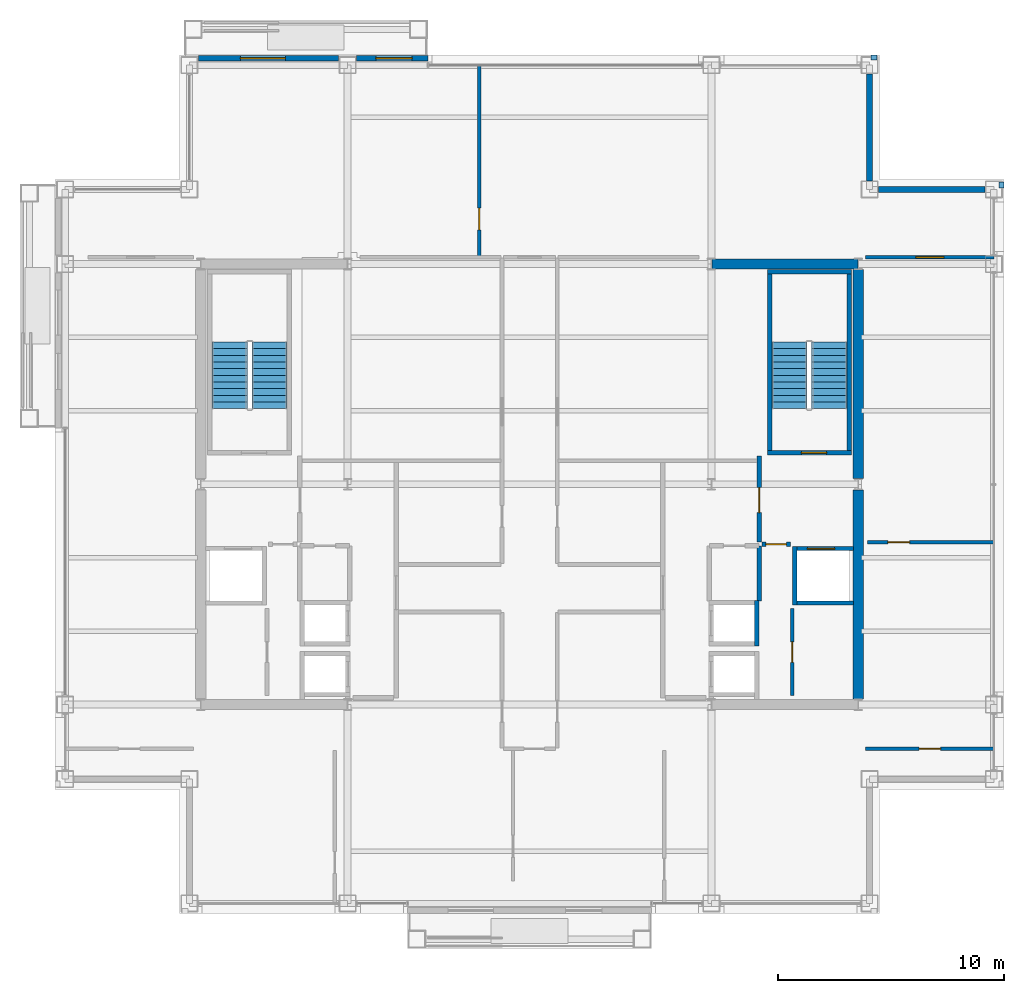
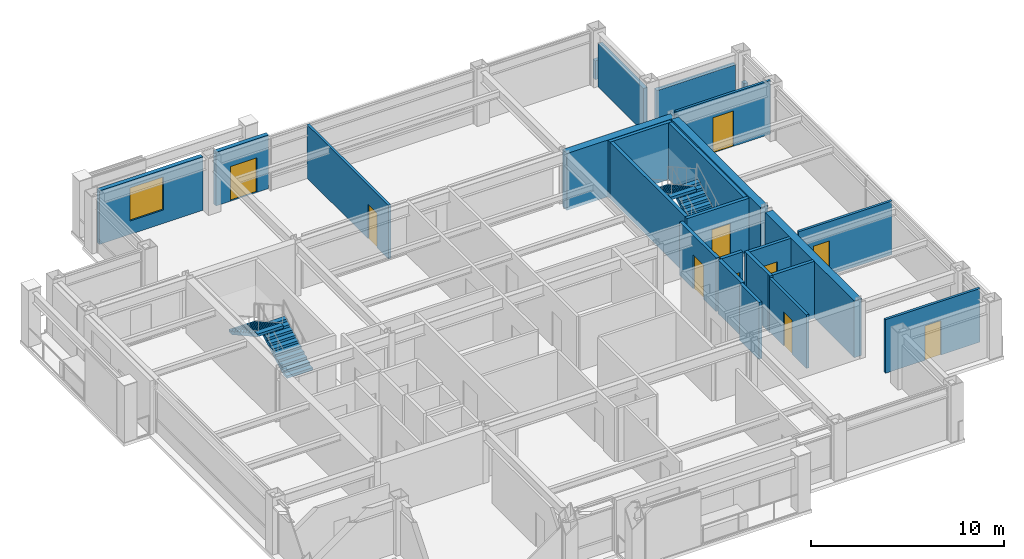
# One storey, part 25 of 27: 25 walls, 10 doors, 4 stair flights, 1 window, 11 openings, 2 elements without a shape of their own.
"""IFC4 building model written with IfcOpenShell, lengths in metres."""

from ifc_helpers import new_model, si_unit, direction, frame, frame_2d, origin, place, context, subcontext, project, spatial, polyline, rectangle, outline, extrude, material, layer, layer_set, type_object, element, fill, aggregate, save


model = new_model("IFC4")

# Units and contexts
model_context = context("Model", 3, precision=1e-05, world=origin(), true_north=direction((0.0, 1.0)))
body_context = subcontext(model_context, "Body", "Model", "MODEL_VIEW")
ifc_project = project(units=[si_unit("LENGTHUNIT", "METRE"), si_unit("AREAUNIT", "SQUARE_METRE"), si_unit("VOLUMEUNIT", "CUBIC_METRE"), si_unit("PLANEANGLEUNIT", "RADIAN"), si_unit("MASSUNIT", "GRAM", prefix="KILO")], contexts=[model_context])

# Site, building, storey
site_placement = place(None, origin())
site = spatial("IfcSite", under=ifc_project, at=site_placement, CompositionType="ELEMENT")
building_placement = place(site_placement, origin())
building = spatial("IfcBuilding", under=site, at=building_placement, Name="Brelmoor Portico Tower", CompositionType="ELEMENT")
storey_placement = place(building_placement, frame((0.0, 0.0, 158.699951171875)))
storey = spatial("IfcBuildingStorey", under=building, at=storey_placement, Name="L41", CompositionType="ELEMENT", Elevation=158.699951171875)

# Walls
ifc_material_1 = material(Name="Concrete C50", Category="concrete")
ifc_layer_1 = layer(ifc_material_1, 0.449951171875)
ifc_layer_set_1 = layer_set([ifc_layer_1], Name="Concrete C50")
wall_type_1 = type_object("IfcWallType", Name="WL-CORE-450", PredefinedType="SHEAR", material=ifc_layer_set_1)
wall_1_placement = place(storey_placement, frame((8.070068359375, 9.75, -0.199951171875), z_axis=(0.0, 0.0, 1.0), x_axis=(1.0, 0.0, 0.0)))
element("IfcWall", 1, at=wall_1_placement, inside=storey, type_object=wall_type_1, Name="L41 EC North Shear Wall", PredefinedType="SHEAR", context=body_context, shape_type="SweptSolid", body=[
    extrude(rectangle(XDim=6.4599609375, YDim=0.449951171875, at=frame_2d((3.22998046875, 0.0))), origin(), (0.0, 0.0, 1.0), 3.60009765625),
])
for number, where, z_axis, x_axis, name in (
    (2, (14.550048828125, -9.5, -0.199951171875), (0.0, 0.0, 1.0), (0.0, 1.0, 0.0), "L41 EC Outer South Shear Wall"),
    (3, (14.550048828125, 0.25, -0.199951171875), (0.0, 0.0, 1.0), (0.0, 1.0, 0.0), "L41 EC Outer North Shear Wall"),
):
    element("IfcWall", number, at=place(storey_placement, frame(where, z_axis=z_axis, x_axis=x_axis)), inside=storey, type_object=wall_type_1, Name=name, PredefinedType="SHEAR", context=body_context, shape_type="SweptSolid", body=[
        extrude(rectangle(XDim=9.25, YDim=0.449951171875, at=frame_2d((4.625, 0.0))), origin(), (0.0, 0.0, 1.0), 3.60009765625),
    ])

# Wall, opening, window
ifc_material_2 = material(Name="Precast Concrete C40 Insulated Facade Wall", Category="concrete")
ifc_layer_2 = layer(ifc_material_2, 0.25)
ifc_layer_set_2 = layer_set([ifc_layer_2], Name="Precast Concrete C40 Insulated Facade Wall")
wall_type_2 = type_object("IfcWallType", Name="WL-EXT-250", PredefinedType="STANDARD", material=ifc_layer_set_2)
wall_2_placement = place(storey_placement, frame((-14.655029296875, 18.860107421875, 0.0), z_axis=(0.0, 0.0, 1.0), x_axis=(1.0, 0.0, 0.0)))
wall_2 = element("IfcWall", 4, at=wall_2_placement, inside=storey, type_object=wall_type_2, Name="L41 Loggia Threshold Wall N-1", PredefinedType="STANDARD", context=body_context, shape_type="SweptSolid", body=[
    extrude(rectangle(XDim=6.2099609375, YDim=0.25, at=frame_2d((3.10498046875, 0.0))), origin(), (0.0, 0.0, 1.0), 3.400146484375),
])
opening_1_placement = place(wall_2_placement, frame((1.85498046875, 0.0, 0.85009765625)))
opening_1 = element("IfcOpeningElement", 5, at=opening_1_placement, cuts=wall_2, Name="Opening W-03", PredefinedType="OPENING", context=body_context, shape_type="SweptSolid", body=[
    extrude(rectangle(XDim=2.0, YDim=2.10009765625, at=frame_2d((1.0, 1.050048828125))), frame((0.0, 0.135009765625, 0.0), z_axis=(0.0, -1.0, 0.0), x_axis=(1.0, 0.0, 0.0)), (0.0, 0.0, 1.0), 0.27001953125),
])
ifc_material_3 = material(Name="Thermally Broken Aluminium Low-E Window", Category="aluminium")
window_type = type_object("IfcWindowType", Name="WN-LOGGIA-2000x2100", PartitioningType="SINGLE_PANEL", PredefinedType="WINDOW", material=ifc_material_3)
window_placement = place(opening_1_placement, origin())
window = element("IfcWindow", 6, at=window_placement, inside=storey, type_object=window_type, Name="L41 Loggia Window N", OverallHeight=2.10009765625, OverallWidth=2.0, PartitioningType="SINGLE_PANEL", PredefinedType="WINDOW", context=body_context, shape_type="SweptSolid", body=[
    extrude(rectangle(XDim=2.0, YDim=2.10009765625, at=frame_2d((1.0, 1.050048828125))), frame((0.0, 0.030029296875, 0.0), z_axis=(0.0, -1.0, 0.0), x_axis=(1.0, 0.0, 0.0)), (0.0, 0.0, 1.0), 0.06005859375),
])
fill(opening_1, window)

# Wall, opening, door
wall_3_placement = place(storey_placement, frame((-7.655029296875, 18.860107421875, 0.0), z_axis=(0.0, 0.0, 1.0), x_axis=(1.0, 0.0, 0.0)))
wall_3 = element("IfcWall", 7, at=wall_3_placement, inside=storey, type_object=wall_type_2, Name="L41 Loggia Threshold Wall N-2", PredefinedType="STANDARD", context=body_context, shape_type="SweptSolid", body=[
    extrude(rectangle(XDim=3.155029296875, YDim=0.25, at=frame_2d((1.57763671875, 0.0))), origin(), (0.0, 0.0, 1.0), 3.400146484375),
])
opening_2_placement = place(wall_3_placement, frame((0.85498046875, 0.0, 0.0)))
opening_2 = element("IfcOpeningElement", 8, at=opening_2_placement, cuts=wall_3, Name="Opening D-TB1", PredefinedType="OPENING", context=body_context, shape_type="SweptSolid", body=[
    extrude(rectangle(XDim=1.60009765625, YDim=2.199951171875, at=frame_2d((0.800048828125, 1.10009765625))), frame((0.0, 0.135009765625, 0.0), z_axis=(0.0, -1.0, 0.0), x_axis=(1.0, 0.0, 0.0)), (0.0, 0.0, 1.0), 0.27001953125),
])
ifc_material_4 = material(Name="Double-Leaf Thermally Broken Terrace Door", Category="aluminium")
door_type_1 = type_object("IfcDoorType", Name="DR-BALCONY-1600", OperationType="NOTDEFINED", PredefinedType="DOOR", material=ifc_material_4)
door_1_placement = place(opening_2_placement, origin())
door_1 = element("IfcDoor", 9, at=door_1_placement, inside=storey, type_object=door_type_1, Name="D-1771 L41 Tree Balcony Double Door N", OperationType="DOUBLE_DOOR_SINGLE_SWING", OverallHeight=2.199951171875, OverallWidth=1.60009765625, PredefinedType="DOOR", context=body_context, shape_type="SweptSolid", body=[
    extrude(rectangle(XDim=1.60009765625, YDim=2.199951171875, at=frame_2d((0.800048828125, 1.10009765625))), frame((0.0, 0.02490234375, 0.0), z_axis=(0.0, -1.0, 0.0), x_axis=(1.0, 0.0, 0.0)), (0.0, 0.0, 1.0), 0.050048828125),
])
fill(opening_2, door_1)

# Walls
for number, where, z_axis, x_axis, name in (
    (10, (15.43505859375, 13.050048828125, 0.0), (0.0, 0.0, 1.0), (1.0, 0.0, 0.0), "L41 Corner Notch Facade Wall NNEH1"),
    (11, (15.050048828125, 13.43505859375, 0.0), (0.0, 0.0, 1.0), (0.0, 1.0, 0.0), "L41 Corner Notch Facade Wall NNEV1"),
):
    element("IfcWall", number, at=place(storey_placement, frame(where, z_axis=z_axis, x_axis=x_axis)), inside=storey, type_object=wall_type_2, Name=name, PredefinedType="STANDARD", context=body_context, shape_type="SweptSolid", body=[
        extrude(rectangle(XDim=4.72998046875, YDim=0.25, at=frame_2d((2.364990234375, 0.0))), origin(), (0.0, 0.0, 1.0), 2.75),
    ])
ifc_material_5 = material(Name="Concrete C40 Parapet Upstand", Category="concrete")
ifc_layer_3 = layer(ifc_material_5, 0.219970703125)
ifc_layer_set_3 = layer_set([ifc_layer_3], Name="Concrete C40 Parapet Upstand")
wall_type_3 = type_object("IfcWallType", Name="WL-PARAPET-220", PredefinedType="PARAPET", material=ifc_layer_set_3)
for number, where, z_axis, x_axis, name in (
    (12, (15.1201171875, 18.889892578125, 0.0), (0.0, 0.0, 1.0), (1.0, 0.0, 0.0), "L41 Chamfer Vertex Parapet Pier NE1"),
    (13, (20.889892578125, 13.1201171875, 0.0), (0.0, 0.0, 1.0), (0.0, 1.0, 0.0), "L41 Chamfer Vertex Parapet Pier NE2"),
):
    element("IfcWall", number, at=place(storey_placement, frame(where, z_axis=z_axis, x_axis=x_axis)), inside=storey, type_object=wall_type_3, Name=name, PredefinedType="PARAPET", context=body_context, shape_type="SweptSolid", body=[
        extrude(rectangle(XDim=0.269775390625, YDim=0.219970703125, at=frame_2d((0.134765625, 0.0))), origin(), (0.0, 0.0, 1.0), 1.199951171875),
    ])

# Wall, opening, door
ifc_material_6 = material(Name="Wet-Area Moisture-Resistant Partition", Category="gypsum")
ifc_layer_4 = layer(ifc_material_6, 0.14990234375)
ifc_layer_set_4 = layer_set([ifc_layer_4], Name="Wet-Area Moisture-Resistant Partition")
wall_type_4 = type_object("IfcWallType", Name="WL-PART-150", PredefinedType="PARTITIONING", material=ifc_layer_set_4)
wall_4_placement = place(storey_placement, frame((-2.2255859375, 10.110107421875, 0.0), z_axis=(0.0, 0.0, 1.0), x_axis=(0.0, 1.0, 0.0)))
wall_4 = element("IfcWall", 14, at=wall_4_placement, inside=storey, type_object=wall_type_4, Name="L41 North Suite Partition 1", PredefinedType="PARTITIONING", context=body_context, shape_type="SweptSolid", body=[
    extrude(rectangle(XDim=8.449951171875, YDim=0.14990234375, at=frame_2d((4.22509765625, 0.0))), origin(), (0.0, 0.0, 1.0), 3.400146484375),
])
opening_3_placement = place(wall_4_placement, frame((1.14990234375, 0.0, 0.0)))
opening_3 = element("IfcOpeningElement", 15, at=opening_3_placement, cuts=wall_4, Name="Opening D-IN2", PredefinedType="OPENING", context=body_context, shape_type="SweptSolid", body=[
    extrude(rectangle(XDim=0.9599609375, YDim=2.179931640625, at=frame_2d((0.47998046875, 1.08984375))), frame((0.0, 0.0849609375, 0.0), z_axis=(0.0, -1.0, 0.0), x_axis=(1.0, 0.0, 0.0)), (0.0, 0.0, 1.0), 0.169921875),
])
ifc_material_7 = material(Name="Lacquered Timber Suite Door", Category="wood")
door_type_2 = type_object("IfcDoorType", Name="DR-INT-950", OperationType="NOTDEFINED", PredefinedType="DOOR", material=ifc_material_7)
door_2_placement = place(opening_3_placement, origin())
door_2 = element("IfcDoor", 16, at=door_2_placement, inside=storey, type_object=door_type_2, Name="D-1760 L41 North Suite Connecting Door 1", OperationType="SINGLE_SWING_LEFT", OverallHeight=2.179931640625, OverallWidth=0.9599609375, PredefinedType="DOOR", context=body_context, shape_type="SweptSolid", body=[
    extrude(rectangle(XDim=0.9599609375, YDim=2.179931640625, at=frame_2d((0.47998046875, 1.08984375))), frame((0.0, 0.02490234375, 0.0), z_axis=(0.0, -1.0, 0.0), x_axis=(1.0, 0.0, 0.0)), (0.0, 0.0, 1.0), 0.050048828125),
])
fill(opening_3, door_2)

wall_5_placement = place(storey_placement, frame((14.8798828125, 10.050048828125, 0.0), z_axis=(0.0, 0.0, 1.0), x_axis=(1.0, 0.0, 0.0)))
wall_5 = element("IfcWall", 17, at=wall_5_placement, inside=storey, type_object=wall_type_4, Name="L41 North Wing Suite Wall ER", PredefinedType="PARTITIONING", context=body_context, shape_type="SweptSolid", body=[
    extrude(rectangle(XDim=5.68017578125, YDim=0.14990234375, at=frame_2d((2.840087890625, 0.0))), origin(), (0.0, 0.0, 1.0), 3.400146484375),
])
opening_4_placement = place(wall_5_placement, frame((2.219970703125, 0.0, 0.0)))
opening_4 = element("IfcOpeningElement", 18, at=opening_4_placement, cuts=wall_5, Name="Opening D-SU1", PredefinedType="OPENING", context=body_context, shape_type="SweptSolid", body=[
    extrude(rectangle(XDim=1.239990234375, YDim=2.239990234375, at=frame_2d((0.6201171875, 1.1201171875))), frame((0.0, 0.0849609375, 0.0), z_axis=(0.0, -1.0, 0.0), x_axis=(1.0, 0.0, 0.0)), (0.0, 0.0, 1.0), 0.169921875),
])
ifc_material_8 = material(Name="Glazed Timber Executive Suite Door", Category="wood")
door_type_3 = type_object("IfcDoorType", Name="DR-SUITE-1200", OperationType="NOTDEFINED", PredefinedType="DOOR", material=ifc_material_8)
door_3_placement = place(opening_4_placement, origin())
door_3 = element("IfcDoor", 19, at=door_3_placement, inside=storey, type_object=door_type_3, Name="D-1761 L41 ER Wing Suite Connecting Door", OperationType="SINGLE_SWING_RIGHT", OverallHeight=2.239990234375, OverallWidth=1.239990234375, PredefinedType="DOOR", context=body_context, shape_type="SweptSolid", body=[
    extrude(rectangle(XDim=1.239990234375, YDim=2.239990234375, at=frame_2d((0.6201171875, 1.1201171875))), frame((0.0, 0.02490234375, 0.0), z_axis=(0.0, -1.0, 0.0), x_axis=(1.0, 0.0, 0.0)), (0.0, 0.0, 1.0), 0.050048828125),
])
fill(opening_4, door_3)

wall_6_placement = place(storey_placement, frame((14.8798828125, -11.7099609375, 0.0), z_axis=(0.0, 0.0, 1.0), x_axis=(1.0, 0.0, 0.0)))
wall_6 = element("IfcWall", 20, at=wall_6_placement, inside=storey, type_object=wall_type_4, Name="L41 South Wing Closure ER", PredefinedType="PARTITIONING", context=body_context, shape_type="SweptSolid", body=[
    extrude(rectangle(XDim=5.68017578125, YDim=0.14990234375, at=frame_2d((2.840087890625, 0.0))), origin(), (0.0, 0.0, 1.0), 3.400146484375),
])
opening_5_placement = place(wall_6_placement, frame((2.360107421875, 0.0, 0.0)))
opening_5 = element("IfcOpeningElement", 21, at=opening_5_placement, cuts=wall_6, Name="Opening D-IN2", PredefinedType="OPENING", context=body_context, shape_type="SweptSolid", body=[
    extrude(rectangle(XDim=0.9599609375, YDim=2.179931640625, at=frame_2d((0.47998046875, 1.08984375))), frame((0.0, 0.0849609375, 0.0), z_axis=(0.0, -1.0, 0.0), x_axis=(1.0, 0.0, 0.0)), (0.0, 0.0, 1.0), 0.169921875),
])
door_4_placement = place(opening_5_placement, origin())
door_4 = element("IfcDoor", 22, at=door_4_placement, inside=storey, type_object=door_type_2, Name="D-1769 L41 ER Wing South Suite Door", OperationType="SINGLE_SWING_RIGHT", OverallHeight=2.179931640625, OverallWidth=0.9599609375, PredefinedType="DOOR", context=body_context, shape_type="SweptSolid", body=[
    extrude(rectangle(XDim=0.9599609375, YDim=2.179931640625, at=frame_2d((0.47998046875, 1.08984375))), frame((0.0, 0.02490234375, 0.0), z_axis=(0.0, -1.0, 0.0), x_axis=(1.0, 0.0, 0.0)), (0.0, 0.0, 1.0), 0.050048828125),
])
fill(opening_5, door_4)

wall_7_placement = place(storey_placement, frame((14.9599609375, -2.55810546875, 0.0), z_axis=(0.0, 0.0, 1.0), x_axis=(1.0, 0.0, 0.0)))
wall_7 = element("IfcWall", 23, at=wall_7_placement, inside=storey, type_object=wall_type_4, Name="L41 E Wing Partition 1", PredefinedType="PARTITIONING", context=body_context, shape_type="SweptSolid", body=[
    extrude(rectangle(XDim=5.60009765625, YDim=0.14990234375, at=frame_2d((2.800048828125, 0.0))), origin(), (0.0, 0.0, 1.0), 3.400146484375),
])
opening_6_placement = place(wall_7_placement, frame((0.89990234375, 0.0, 0.0)))
opening_6 = element("IfcOpeningElement", 24, at=opening_6_placement, cuts=wall_7, Name="Opening D-IN2", PredefinedType="OPENING", context=body_context, shape_type="SweptSolid", body=[
    extrude(rectangle(XDim=0.9599609375, YDim=2.179931640625, at=frame_2d((0.47998046875, 1.08984375))), frame((0.0, 0.0849609375, 0.0), z_axis=(0.0, -1.0, 0.0), x_axis=(1.0, 0.0, 0.0)), (0.0, 0.0, 1.0), 0.169921875),
])
door_5_placement = place(opening_6_placement, origin())
door_5 = element("IfcDoor", 25, at=door_5_placement, inside=storey, type_object=door_type_2, Name="D-1774 L41 E Wing Suite Connecting Door 1", OperationType="SINGLE_SWING_LEFT", OverallHeight=2.179931640625, OverallWidth=0.9599609375, PredefinedType="DOOR", context=body_context, shape_type="SweptSolid", body=[
    extrude(rectangle(XDim=0.9599609375, YDim=2.179931640625, at=frame_2d((0.47998046875, 1.08984375))), frame((0.0, 0.02490234375, 0.0), z_axis=(0.0, -1.0, 0.0), x_axis=(1.0, 0.0, 0.0)), (0.0, 0.0, 1.0), 0.050048828125),
])
fill(opening_6, door_5)

ifc_material_9 = material(Name="Twin-Frame Acoustic Partition", Category="gypsum")
ifc_layer_5 = layer(ifc_material_9, 0.159912109375)
ifc_layer_set_5 = layer_set([ifc_layer_5], Name="Twin-Frame Acoustic Partition")
wall_type_5 = type_object("IfcWallType", Name="WL-PART-160", PredefinedType="PARTITIONING", material=ifc_layer_set_5)
wall_8_placement = place(storey_placement, frame((11.6201171875, -9.35009765625, 0.0), z_axis=(0.0, 0.0, 1.0), x_axis=(0.0, 1.0, 0.0)))
wall_8 = element("IfcWall", 26, at=wall_8_placement, inside=storey, type_object=wall_type_5, Name="L41 E Core Service Front Wall", PredefinedType="PARTITIONING", context=body_context, shape_type="SweptSolid", body=[
    extrude(rectangle(XDim=3.85009765625, YDim=0.159912109375, at=frame_2d((1.925048828125, 0.0))), origin(), (0.0, 0.0, 1.0), 3.400146484375),
])
opening_7_placement = place(wall_8_placement, frame((1.47509765625, 0.0, 0.0)))
opening_7 = element("IfcOpeningElement", 27, at=opening_7_placement, cuts=wall_8, Name="Opening D-IN1", PredefinedType="OPENING", context=body_context, shape_type="SweptSolid", body=[
    extrude(rectangle(XDim=0.89990234375, YDim=2.14990234375, at=frame_2d((0.449951171875, 1.074951171875))), frame((0.0, 0.08984375, 0.0), z_axis=(0.0, -1.0, 0.0), x_axis=(1.0, 0.0, 0.0)), (0.0, 0.0, 1.0), 0.179931640625),
])
door_type_4 = type_object("IfcDoorType", Name="DR-INT-900", OperationType="NOTDEFINED", PredefinedType="DOOR", material=ifc_material_7)
door_6_placement = place(opening_7_placement, origin())
door_6 = element("IfcDoor", 28, at=door_6_placement, inside=storey, type_object=door_type_4, Name="D-1749 L41 E Male WC Door", OperationType="SINGLE_SWING_RIGHT", OverallHeight=2.14990234375, OverallWidth=0.89990234375, PredefinedType="DOOR", context=body_context, shape_type="SweptSolid", body=[
    extrude(rectangle(XDim=0.89990234375, YDim=2.14990234375, at=frame_2d((0.449951171875, 1.074951171875))), frame((0.0, 0.02490234375, 0.0), z_axis=(0.0, -1.0, 0.0), x_axis=(1.0, 0.0, 0.0)), (0.0, 0.0, 1.0), 0.050048828125),
])
fill(opening_7, door_6)

ifc_material_10 = material(Name="Double-Stud Gypsum Fire Partition", Category="gypsum")
ifc_layer_6 = layer(ifc_material_10, 0.199951171875)
ifc_layer_set_6 = layer_set([ifc_layer_6], Name="Double-Stud Gypsum Fire Partition")
wall_type_6 = type_object("IfcWallType", Name="WL-PART-200", PredefinedType="PARTITIONING", material=ifc_layer_set_6)
wall_9_placement = place(storey_placement, frame((10.159912109375, -2.550048828125, 0.0), z_axis=(0.0, 0.0, 1.0), x_axis=(0.0, 1.0, 0.0)))
wall_9 = element("IfcWall", 29, at=wall_9_placement, inside=storey, type_object=wall_type_6, Name="L41 E Firefighting Lobby Wall", PredefinedType="PARTITIONING", context=body_context, shape_type="SweptSolid", body=[
    extrude(rectangle(XDim=3.800048828125, YDim=0.199951171875, at=frame_2d((1.89990234375, 0.0))), origin(), (0.0, 0.0, 1.0), 3.400146484375),
])
opening_8_placement = place(wall_9_placement, frame((1.300048828125, 0.0, 0.0)))
opening_8 = element("IfcOpeningElement", 30, at=opening_8_placement, cuts=wall_9, Name="Opening D-FR1", PredefinedType="OPENING", context=body_context, shape_type="SweptSolid", body=[
    extrude(rectangle(XDim=1.10009765625, YDim=2.14990234375, at=frame_2d((0.550048828125, 1.074951171875))), frame((0.0, 0.10986328125, 0.0), z_axis=(0.0, -1.0, 0.0), x_axis=(1.0, 0.0, 0.0)), (0.0, 0.0, 1.0), 0.219970703125),
])
ifc_material_11 = material(Name="Painted Galvanised Steel Fire Door", Category="steel")
door_type_5 = type_object("IfcDoorType", Name="DR-FIRE-1100", OperationType="NOTDEFINED", PredefinedType="DOOR", material=ifc_material_11)
door_7_placement = place(opening_8_placement, origin())
door_7 = element("IfcDoor", 31, at=door_7_placement, inside=storey, type_object=door_type_5, Name="D-1755 L41 E Firefighting Lobby Door", OperationType="SINGLE_SWING_LEFT", OverallHeight=2.14990234375, OverallWidth=1.10009765625, PredefinedType="DOOR", context=body_context, shape_type="SweptSolid", body=[
    extrude(rectangle(XDim=1.10009765625, YDim=2.14990234375, at=frame_2d((0.550048828125, 1.074951171875))), frame((0.0, 0.02490234375, 0.0), z_axis=(0.0, -1.0, 0.0), x_axis=(1.0, 0.0, 0.0)), (0.0, 0.0, 1.0), 0.050048828125),
])
fill(opening_8, door_7)

wall_10_placement = place(storey_placement, frame((10.280029296875, -2.64990234375, 0.0), z_axis=(0.0, 0.0, 1.0), x_axis=(1.0, 0.0, 0.0)))
wall_10 = element("IfcWall", 32, at=wall_10_placement, inside=storey, type_object=wall_type_6, Name="L41 E Firefighting Lobby South Wall", PredefinedType="PARTITIONING", context=body_context, shape_type="SweptSolid", body=[
    extrude(rectangle(XDim=1.27001953125, YDim=0.199951171875, at=frame_2d((0.635009765625, 0.0))), origin(), (0.0, 0.0, 1.0), 3.400146484375),
])
opening_9_placement = place(wall_10_placement, frame((0.18505859375, 0.0, 0.0)))
opening_9 = element("IfcOpeningElement", 33, at=opening_9_placement, cuts=wall_10, Name="Opening D-IN1", PredefinedType="OPENING", context=body_context, shape_type="SweptSolid", body=[
    extrude(rectangle(XDim=0.89990234375, YDim=2.14990234375, at=frame_2d((0.449951171875, 1.074951171875))), frame((0.0, 0.10986328125, 0.0), z_axis=(0.0, -1.0, 0.0), x_axis=(1.0, 0.0, 0.0)), (0.0, 0.0, 1.0), 0.219970703125),
])
door_8_placement = place(opening_9_placement, origin())
door_8 = element("IfcDoor", 34, at=door_8_placement, inside=storey, type_object=door_type_4, Name="D-1750 L41 E Core Service Vestibule Door", OperationType="SINGLE_SWING_RIGHT", OverallHeight=2.14990234375, OverallWidth=0.89990234375, PredefinedType="DOOR", context=body_context, shape_type="SweptSolid", body=[
    extrude(rectangle(XDim=0.89990234375, YDim=2.14990234375, at=frame_2d((0.449951171875, 1.074951171875))), frame((0.0, 0.02490234375, 0.0), z_axis=(0.0, -1.0, 0.0), x_axis=(1.0, 0.0, 0.0)), (0.0, 0.0, 1.0), 0.050048828125),
])
fill(opening_9, door_8)

# Walls
wall_11_placement = place(storey_placement, frame((10.159912109375, -5.159912109375, 0.0), z_axis=(0.0, 0.0, 1.0), x_axis=(0.0, 1.0, 0.0)))
element("IfcWall", 35, at=wall_11_placement, inside=storey, type_object=wall_type_6, Name="L41 E Electrical Switchgear Closet Outer Wall", PredefinedType="PARTITIONING", context=body_context, shape_type="SweptSolid", body=[
    extrude(rectangle(XDim=2.43994140625, YDim=0.199951171875, at=frame_2d((1.219970703125, 0.0))), origin(), (0.0, 0.0, 1.0), 3.400146484375),
])
ifc_material_12 = material(Name="Precast Concrete C40", Category="concrete")
ifc_layer_7 = layer(ifc_material_12, 0.18994140625)
ifc_layer_set_7 = layer_set([ifc_layer_7], Name="Precast Concrete C40")
wall_type_7 = type_object("IfcWallType", Name="WL-SHAFT-180", PredefinedType="SOLIDWALL", material=ifc_layer_set_7)
wall_12_placement = place(storey_placement, frame((10.054931640625, -7.14990234375, -0.199951171875), z_axis=(0.0, 0.0, 1.0), x_axis=(0.0, 1.0, 0.0)))
element("IfcWall", 36, at=wall_12_placement, inside=storey, type_object=wall_type_7, Name="L41 Lift PH4 Hoistway Back Wall", PredefinedType="SOLIDWALL", context=body_context, shape_type="SweptSolid", body=[
    extrude(rectangle(XDim=2.0, YDim=0.18994140625, at=frame_2d((1.0, 0.0))), origin(), (0.0, 0.0, 1.0), 3.60009765625),
])

# Wall, opening, door
wall_13_placement = place(storey_placement, frame((11.64990234375, -2.844970703125, -0.199951171875), z_axis=(0.0, 0.0, 1.0), x_axis=(1.0, 0.0, 0.0)))
wall_13 = element("IfcWall", 37, at=wall_13_placement, inside=storey, type_object=wall_type_7, Name="L41 Lift FF2 Hoistway Front Wall", PredefinedType="SOLIDWALL", context=body_context, shape_type="SweptSolid", body=[
    extrude(rectangle(XDim=2.68017578125, YDim=0.18994140625, at=frame_2d((1.340087890625, 0.0))), origin(), (0.0, 0.0, 1.0), 3.60009765625),
])
opening_10_placement = place(wall_13_placement, frame((0.64990234375, 0.0, 0.199951171875)))
opening_10 = element("IfcOpeningElement", 38, at=opening_10_placement, cuts=wall_13, Name="Opening LD-02", PredefinedType="OPENING", context=body_context, shape_type="SweptSolid", body=[
    extrude(rectangle(XDim=1.199951171875, YDim=2.199951171875, at=frame_2d((0.60009765625, 1.10009765625))), frame((0.0, 0.10498046875, 0.0), z_axis=(0.0, -1.0, 0.0), x_axis=(1.0, 0.0, 0.0)), (0.0, 0.0, 1.0), 0.2099609375),
])
ifc_material_13 = material(Name="Brushed Stainless Steel Firefighting Lift Door", Category="steel")
door_type_6 = type_object("IfcDoorType", Name="DR-LIFT-1200", OperationType="NOTDEFINED", PredefinedType="DOOR", material=ifc_material_13)
door_9_placement = place(opening_10_placement, origin())
door_9 = element("IfcDoor", 39, at=door_9_placement, inside=storey, type_object=door_type_6, Name="D-1776 L41 Lift FF2 Sliding Landing Door", OperationType="SLIDING_TO_LEFT", OverallHeight=2.199951171875, OverallWidth=1.199951171875, PredefinedType="DOOR", context=body_context, shape_type="SweptSolid", body=[
    extrude(rectangle(XDim=1.199951171875, YDim=2.199951171875, at=frame_2d((0.60009765625, 1.10009765625))), frame((0.0, 0.02490234375, 0.0), z_axis=(0.0, -1.0, 0.0), x_axis=(1.0, 0.0, 0.0)), (0.0, 0.0, 1.0), 0.050048828125),
])
fill(opening_10, door_9)

# Walls
wall_14_placement = place(storey_placement, frame((11.64990234375, -5.2548828125, -0.199951171875), z_axis=(0.0, 0.0, 1.0), x_axis=(1.0, 0.0, 0.0)))
element("IfcWall", 40, at=wall_14_placement, inside=storey, type_object=wall_type_7, Name="L41 Firefighting Lift FF2 South Wall", PredefinedType="SOLIDWALL", context=body_context, shape_type="SweptSolid", body=[
    extrude(rectangle(XDim=2.68017578125, YDim=0.18994140625, at=frame_2d((1.340087890625, 0.0))), origin(), (0.0, 0.0, 1.0), 3.60009765625),
])
wall_15_placement = place(storey_placement, frame((11.7451171875, -5.35009765625, -0.199951171875), z_axis=(0.0, 0.0, 1.0), x_axis=(0.0, 1.0, 0.0)))
element("IfcWall", 41, at=wall_15_placement, inside=storey, type_object=wall_type_7, Name="L41 Firefighting Lift FF2 Inner Wall", PredefinedType="SOLIDWALL", context=body_context, shape_type="SweptSolid", body=[
    extrude(rectangle(XDim=2.60009765625, YDim=0.18994140625, at=frame_2d((1.300048828125, 0.0))), origin(), (0.0, 0.0, 1.0), 3.60009765625),
])
ifc_material_14 = material(Name="Concrete C40", Category="concrete")
ifc_layer_8 = layer(ifc_material_14, 0.199951171875)
ifc_layer_set_8 = layer_set([ifc_layer_8], Name="Concrete C40")
wall_type_8 = type_object("IfcWallType", Name="WL-SHAFT-RC200", PredefinedType="SOLIDWALL", material=ifc_layer_set_8)
wall_16_placement = place(storey_placement, frame((14.14990234375, 1.5, -0.199951171875), z_axis=(0.0, 0.0, 1.0), x_axis=(0.0, 1.0, 0.0)))
element("IfcWall", 42, at=wall_16_placement, inside=storey, type_object=wall_type_8, Name="L41 ST-E Structural Stair Wall Outer", PredefinedType="SOLIDWALL", context=body_context, shape_type="SweptSolid", body=[
    extrude(rectangle(XDim=7.800048828125, YDim=0.199951171875, at=frame_2d((3.89990234375, 0.0))), origin(), (0.0, 0.0, 1.0), 3.60009765625),
])

# Wall, opening, door
wall_17_placement = place(storey_placement, frame((10.530029296875, 1.39990234375, -0.199951171875), z_axis=(0.0, 0.0, 1.0), x_axis=(1.0, 0.0, 0.0)))
wall_17 = element("IfcWall", 43, at=wall_17_placement, inside=storey, type_object=wall_type_8, Name="L41 ST-E Structural Stair Wall S", PredefinedType="SOLIDWALL", context=body_context, shape_type="SweptSolid", body=[
    extrude(rectangle(XDim=3.719970703125, YDim=0.199951171875, at=frame_2d((1.85986328125, 0.0))), origin(), (0.0, 0.0, 1.0), 3.60009765625),
])
opening_11_placement = place(wall_17_placement, frame((1.5, 0.0, 0.199951171875)))
opening_11 = element("IfcOpeningElement", 44, at=opening_11_placement, cuts=wall_17, Name="Opening D-ST1", PredefinedType="OPENING", context=body_context, shape_type="SweptSolid", body=[
    extrude(rectangle(XDim=1.1201171875, YDim=2.179931640625, at=frame_2d((0.56005859375, 1.08984375))), frame((0.0, 0.10986328125, 0.0), z_axis=(0.0, -1.0, 0.0), x_axis=(1.0, 0.0, 0.0)), (0.0, 0.0, 1.0), 0.219970703125),
])
door_type_7 = type_object("IfcDoorType", Name="DR-STAIR-1100", OperationType="NOTDEFINED", PredefinedType="DOOR", material=ifc_material_11)
door_10_placement = place(opening_11_placement, origin())
door_10 = element("IfcDoor", 45, at=door_10_placement, inside=storey, type_object=door_type_7, Name="D-1767 L41 ST-E Protected Exit Stair Door", OperationType="SINGLE_SWING_RIGHT", OverallHeight=2.179931640625, OverallWidth=1.1201171875, PredefinedType="DOOR", context=body_context, shape_type="SweptSolid", body=[
    extrude(rectangle(XDim=1.1201171875, YDim=2.179931640625, at=frame_2d((0.56005859375, 1.08984375))), frame((0.0, 0.02490234375, 0.0), z_axis=(0.0, -1.0, 0.0), x_axis=(1.0, 0.0, 0.0)), (0.0, 0.0, 1.0), 0.050048828125),
])
fill(opening_11, door_10)

# Walls
wall_18_placement = place(storey_placement, frame((10.530029296875, 9.39990234375, -0.199951171875), z_axis=(0.0, 0.0, 1.0), x_axis=(1.0, 0.0, 0.0)))
element("IfcWall", 46, at=wall_18_placement, inside=storey, type_object=wall_type_8, Name="L41 ST-E Structural Stair Wall N", PredefinedType="SOLIDWALL", context=body_context, shape_type="SweptSolid", body=[
    extrude(rectangle(XDim=3.719970703125, YDim=0.199951171875, at=frame_2d((1.85986328125, 0.0))), origin(), (0.0, 0.0, 1.0), 3.60009765625),
])
wall_19_placement = place(storey_placement, frame((10.6298828125, 1.5, -0.199951171875), z_axis=(0.0, 0.0, 1.0), x_axis=(0.0, 1.0, 0.0)))
element("IfcWall", 47, at=wall_19_placement, inside=storey, type_object=wall_type_8, Name="L41 ST-E Structural Stair Wall Inner", PredefinedType="SOLIDWALL", context=body_context, shape_type="SweptSolid", body=[
    extrude(rectangle(XDim=7.800048828125, YDim=0.199951171875, at=frame_2d((3.89990234375, 0.0))), origin(), (0.0, 0.0, 1.0), 3.60009765625),
])

# Stair, stair flights
stair_type_1 = type_object("IfcStairType", Name="ST-CORE-W", PredefinedType="HALF_TURN_STAIR", material=ifc_material_14)
stair_1_placement = place(storey_placement, origin())
stair_1 = element("IfcStair", 48, at=stair_1_placement, inside=storey, type_object=stair_type_1, Name="L41 Protected Core Exit Stair ST-W", PredefinedType="HALF_TURN_STAIR")
stair_flight_type = type_object("IfcStairFlightType", Name="SF-CORE-1850", PredefinedType="STRAIGHT", material=ifc_material_14)
stair_flight_1_placement = place(storey_placement, frame((-11.510009765625, 3.35009765625, 0.0), z_axis=(0.0, 0.0, 1.0), x_axis=(0.0, 1.0, 0.0)))
stair_flight_1 = element("IfcStairFlight", 49, at=stair_flight_1_placement, type_object=stair_flight_type, Name="ST-W flight 1", NumberOfRisers=11, NumberOfTreads=10, PredefinedType="STRAIGHT", RiserHeight=0.163636364, TreadLength=0.295, context=body_context, shape_type="SweptSolid", body=[
    extrude(outline(polyline([(0.0, 0.0), (0.0, 0.16357421875), (0.294921875, 0.16357421875), (0.294921875, 0.327392578125), (0.590087890625, 0.327392578125), (0.590087890625, 0.490966796875), (0.885009765625, 0.490966796875), (0.885009765625, 0.654541015625), (1.179931640625, 0.654541015625), (1.179931640625, 0.818115234375), (1.47509765625, 0.818115234375), (1.47509765625, 0.98193359375), (1.77001953125, 0.98193359375), (1.77001953125, 1.1455078125), (2.06494140625, 1.1455078125), (2.06494140625, 1.30908203125), (2.360107421875, 1.30908203125), (2.360107421875, 1.47265625), (2.655029296875, 1.47265625), (2.655029296875, 1.636474609375), (2.949951171875, 1.636474609375), (2.949951171875, 1.800048828125), (2.949951171875, 1.46484375), (0.30908203125, 0.0), (0.0, 0.0)])), frame((0.0, 0.780029296875, 0.0), z_axis=(0.0, -1.0, 0.0), x_axis=(1.0, 0.0, 0.0)), (0.0, 0.0, 1.0), 1.56005859375),
])
stair_flight_2_placement = place(storey_placement, frame((-13.27001953125, 6.300048828125, 1.800048828125), z_axis=(0.0, 0.0, 1.0), x_axis=(0.0, -1.0, 0.0)))
stair_flight_2 = element("IfcStairFlight", 50, at=stair_flight_2_placement, type_object=stair_flight_type, Name="ST-W flight 2", NumberOfRisers=11, NumberOfTreads=10, PredefinedType="STRAIGHT", RiserHeight=0.163636364, TreadLength=0.295, context=body_context, shape_type="SweptSolid", body=[
    extrude(outline(polyline([(0.0, 0.0), (0.0, 0.16357421875), (0.294921875, 0.16357421875), (0.294921875, 0.327392578125), (0.590087890625, 0.327392578125), (0.590087890625, 0.490966796875), (0.885009765625, 0.490966796875), (0.885009765625, 0.654541015625), (1.179931640625, 0.654541015625), (1.179931640625, 0.818115234375), (1.47509765625, 0.818115234375), (1.47509765625, 0.98193359375), (1.77001953125, 0.98193359375), (1.77001953125, 1.1455078125), (2.06494140625, 1.1455078125), (2.06494140625, 1.30908203125), (2.360107421875, 1.30908203125), (2.360107421875, 1.47265625), (2.655029296875, 1.47265625), (2.655029296875, 1.636474609375), (2.949951171875, 1.636474609375), (2.949951171875, 1.800048828125), (2.949951171875, 1.46484375), (0.30908203125, 0.0), (0.0, 0.0)])), frame((0.0, 0.780029296875, 0.0), z_axis=(0.0, -1.0, 0.0), x_axis=(1.0, 0.0, 0.0)), (0.0, 0.0, 1.0), 1.56005859375),
])
aggregate(stair_1, [stair_flight_1, stair_flight_2])

stair_type_2 = type_object("IfcStairType", Name="ST-CORE-E", PredefinedType="HALF_TURN_STAIR", material=ifc_material_14)
stair_2_placement = place(storey_placement, origin())
stair_2 = element("IfcStair", 51, at=stair_2_placement, inside=storey, type_object=stair_type_2, Name="L41 Protected Core Exit Stair ST-E", PredefinedType="HALF_TURN_STAIR")
stair_flight_3_placement = place(storey_placement, frame((13.27001953125, 3.35009765625, 0.0), z_axis=(0.0, 0.0, 1.0), x_axis=(0.0, 1.0, 0.0)))
stair_flight_3 = element("IfcStairFlight", 52, at=stair_flight_3_placement, type_object=stair_flight_type, Name="ST-E flight 1", NumberOfRisers=11, NumberOfTreads=10, PredefinedType="STRAIGHT", RiserHeight=0.163636364, TreadLength=0.295, context=body_context, shape_type="SweptSolid", body=[
    extrude(outline(polyline([(0.0, 0.0), (0.0, 0.16357421875), (0.294921875, 0.16357421875), (0.294921875, 0.327392578125), (0.590087890625, 0.327392578125), (0.590087890625, 0.490966796875), (0.885009765625, 0.490966796875), (0.885009765625, 0.654541015625), (1.179931640625, 0.654541015625), (1.179931640625, 0.818115234375), (1.47509765625, 0.818115234375), (1.47509765625, 0.98193359375), (1.77001953125, 0.98193359375), (1.77001953125, 1.1455078125), (2.06494140625, 1.1455078125), (2.06494140625, 1.30908203125), (2.360107421875, 1.30908203125), (2.360107421875, 1.47265625), (2.655029296875, 1.47265625), (2.655029296875, 1.636474609375), (2.949951171875, 1.636474609375), (2.949951171875, 1.800048828125), (2.949951171875, 1.46484375), (0.30908203125, 0.0), (0.0, 0.0)])), frame((0.0, 0.780029296875, 0.0), z_axis=(0.0, -1.0, 0.0), x_axis=(1.0, 0.0, 0.0)), (0.0, 0.0, 1.0), 1.56005859375),
])
stair_flight_4_placement = place(storey_placement, frame((11.510009765625, 6.300048828125, 1.800048828125), z_axis=(0.0, 0.0, 1.0), x_axis=(0.0, -1.0, 0.0)))
stair_flight_4 = element("IfcStairFlight", 53, at=stair_flight_4_placement, type_object=stair_flight_type, Name="ST-E flight 2", NumberOfRisers=11, NumberOfTreads=10, PredefinedType="STRAIGHT", RiserHeight=0.163636364, TreadLength=0.295, context=body_context, shape_type="SweptSolid", body=[
    extrude(outline(polyline([(0.0, 0.0), (0.0, 0.16357421875), (0.294921875, 0.16357421875), (0.294921875, 0.327392578125), (0.590087890625, 0.327392578125), (0.590087890625, 0.490966796875), (0.885009765625, 0.490966796875), (0.885009765625, 0.654541015625), (1.179931640625, 0.654541015625), (1.179931640625, 0.818115234375), (1.47509765625, 0.818115234375), (1.47509765625, 0.98193359375), (1.77001953125, 0.98193359375), (1.77001953125, 1.1455078125), (2.06494140625, 1.1455078125), (2.06494140625, 1.30908203125), (2.360107421875, 1.30908203125), (2.360107421875, 1.47265625), (2.655029296875, 1.47265625), (2.655029296875, 1.636474609375), (2.949951171875, 1.636474609375), (2.949951171875, 1.800048828125), (2.949951171875, 1.46484375), (0.30908203125, 0.0), (0.0, 0.0)])), frame((0.0, 0.780029296875, 0.0), z_axis=(0.0, -1.0, 0.0), x_axis=(1.0, 0.0, 0.0)), (0.0, 0.0, 1.0), 1.56005859375),
])
aggregate(stair_2, [stair_flight_3, stair_flight_4])

save(model, "model.ifc")
